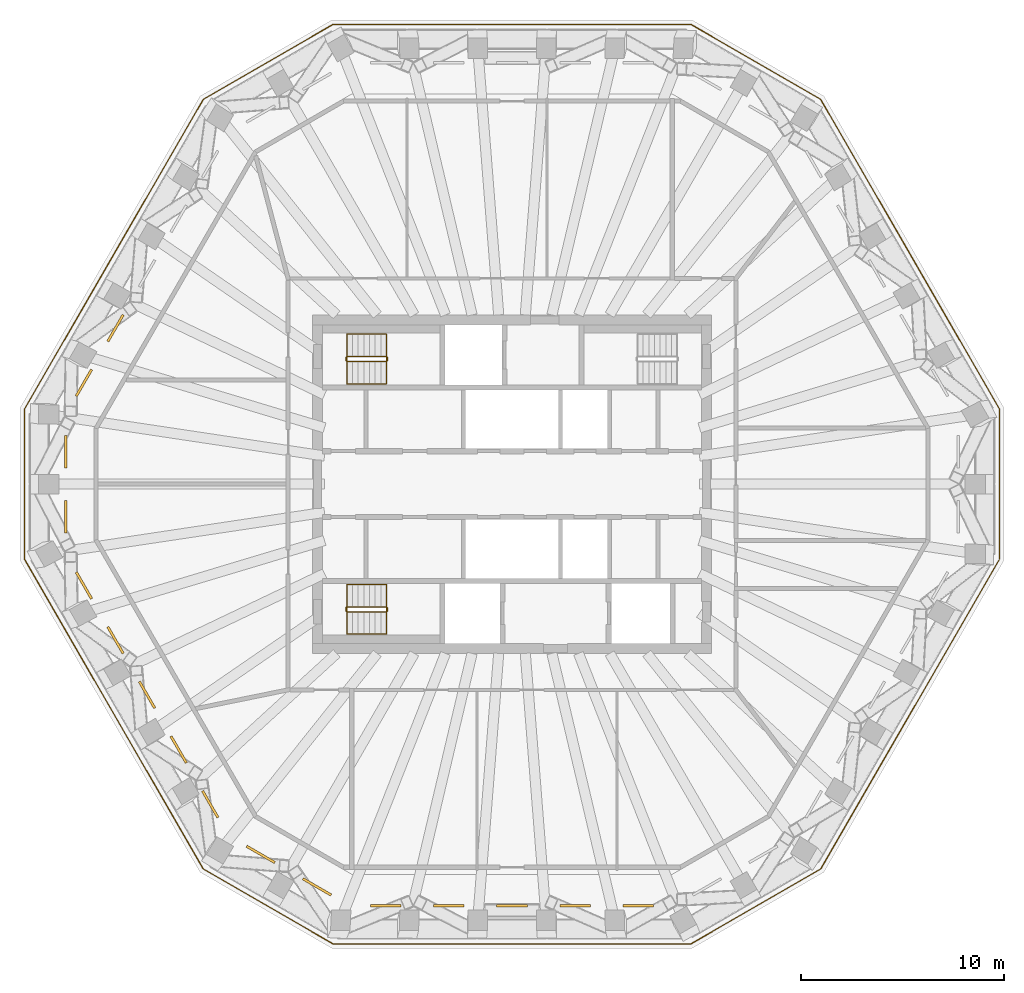
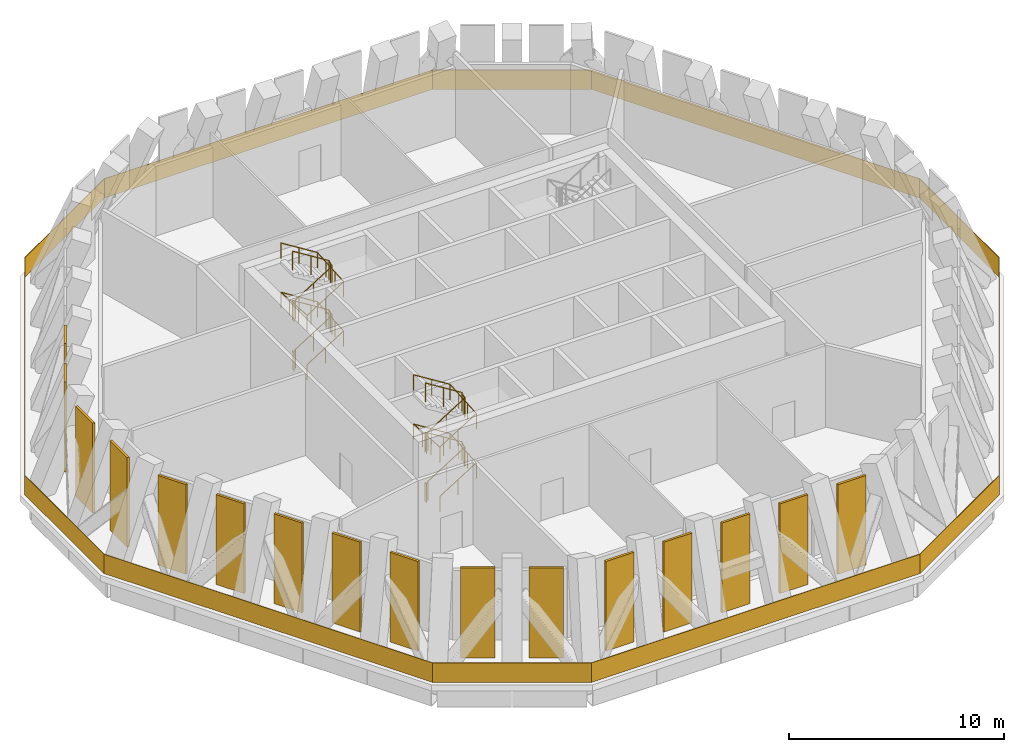
# One storey, part 8 of 9: 16 coverings, 5 railings.
"""IFC4 building model written with IfcOpenShell, lengths in metres."""

from ifc_helpers import new_model, si_unit, direction, frame, origin, origin_2d, place, context, subcontext, project, spatial, polyline, rectangle, circle, outline, extrude, material, layer, layer_set, type_object, element, save


model = new_model("IFC4")

# Units and contexts
model_context = context("Model", 3, precision=1e-05, world=origin(), true_north=direction((0.0, 1.0)))
body_context = subcontext(model_context, "Body", "Model", "MODEL_VIEW")
ifc_project = project(units=[si_unit("LENGTHUNIT", "METRE"), si_unit("AREAUNIT", "SQUARE_METRE"), si_unit("VOLUMEUNIT", "CUBIC_METRE"), si_unit("PLANEANGLEUNIT", "RADIAN"), si_unit("MASSUNIT", "GRAM", prefix="KILO")], contexts=[model_context])

# Site, building, storey
site_placement = place(None, origin())
site = spatial("IfcSite", under=ifc_project, at=site_placement, CompositionType="ELEMENT")
building_placement = place(site_placement, origin())
building = spatial("IfcBuilding", under=site, at=building_placement, Name="Frailejon Research Tower", CompositionType="ELEMENT")
storey_placement = place(building_placement, frame((0.0, 0.0, 303.0)))
storey = spatial("IfcBuildingStorey", under=building, at=storey_placement, Name="L67", CompositionType="ELEMENT", Elevation=303.0)

# Railing
ifc_material_1 = material(Name="Laminated glass balustrade", Category="glass")
railing_type_1 = type_object("IfcRailingType", Name="Glass guard 1100", PredefinedType="GUARDRAIL", material=ifc_material_1)
railing_1_placement = place(storey_placement, frame((24.0556640625, -3.697998046875, 0.0)))
element("IfcRailing", 1, at=railing_1_placement, inside=storey, type_object=railing_type_1, Name="Plant gallery guard L67", PredefinedType="GUARDRAIL", context=body_context, shape_type="SweptSolid", body=[
    extrude(rectangle(XDim=7.39599609375, YDim=0.030029296875, at=origin_2d()), frame((0.0, 3.697998046875, 0.0), z_axis=(0.0, 0.0, 1.0), x_axis=(0.0, 1.0, 0.0)), (0.0, 0.0, 1.0), 1.10009765625),
    extrude(rectangle(XDim=17.650634765625, YDim=0.030029296875, at=origin_2d()), frame((-4.41259765625, 15.0390625, 0.0), z_axis=(0.0, 0.0, 1.0), x_axis=(-0.499995044329, 0.866028264924, 0.0)), (0.0, 0.0, 1.0), 1.10009765625),
    extrude(rectangle(XDim=7.396240234375, YDim=0.030029296875, at=origin_2d()), frame((-12.02783203125, 24.53076171875, 0.0), z_axis=(0.0, 0.0, 1.0), x_axis=(-0.866030573133, 0.49999104632, 0.0)), (0.0, 0.0, 1.0), 1.10009765625),
    extrude(rectangle(XDim=17.650390625, YDim=0.030029296875, at=origin_2d()), frame((-24.0556640625, 26.3798828125, 0.0), z_axis=(0.0, 0.0, 1.0), x_axis=(-1.0, 0.0, 0.0)), (0.0, 0.0, 1.0), 1.10009765625),
    extrude(rectangle(XDim=7.396240234375, YDim=0.030029296875, at=origin_2d()), frame((-36.08349609375, 24.53076171875, 0.0), z_axis=(0.0, 0.0, 1.0), x_axis=(-0.866030573133, -0.49999104632, 0.0)), (0.0, 0.0, 1.0), 1.10009765625),
    extrude(rectangle(XDim=17.650634765625, YDim=0.030029296875, at=origin_2d()), frame((-43.69873046875, 15.0390625, 0.0), z_axis=(0.0, 0.0, 1.0), x_axis=(-0.499995044329, -0.866028264924, 0.0)), (0.0, 0.0, 1.0), 1.10009765625),
    extrude(rectangle(XDim=7.39599609375, YDim=0.030029296875, at=origin_2d()), frame((-48.111328125, 3.697998046875, 0.0), z_axis=(0.0, 0.0, 1.0), x_axis=(0.0, -1.0, 0.0)), (0.0, 0.0, 1.0), 1.10009765625),
    extrude(rectangle(XDim=17.650634765625, YDim=0.030029296875, at=origin_2d()), frame((-43.69873046875, -7.64306640625, 0.0), z_axis=(0.0, 0.0, 1.0), x_axis=(0.499995044329, -0.866028264924, 0.0)), (0.0, 0.0, 1.0), 1.10009765625),
    extrude(rectangle(XDim=7.396240234375, YDim=0.030029296875, at=origin_2d()), frame((-36.08349609375, -17.134765625, 0.0), z_axis=(0.0, 0.0, 1.0), x_axis=(0.866030573133, -0.49999104632, 0.0)), (0.0, 0.0, 1.0), 1.10009765625),
    extrude(rectangle(XDim=17.650390625, YDim=0.030029296875, at=origin_2d()), frame((-24.0556640625, -18.98388671875, 0.0), z_axis=(0.0, 0.0, 1.0), x_axis=(1.0, 0.0, 0.0)), (0.0, 0.0, 1.0), 1.10009765625),
    extrude(rectangle(XDim=7.396240234375, YDim=0.030029296875, at=origin_2d()), frame((-12.02783203125, -17.134765625, 0.0), z_axis=(0.0, 0.0, 1.0), x_axis=(0.866030573133, 0.49999104632, 0.0)), (0.0, 0.0, 1.0), 1.10009765625),
    extrude(rectangle(XDim=17.58056640625, YDim=0.030029296875, at=origin_2d()), frame((-4.43017578125, -7.67333984375, 0.0), z_axis=(0.0, 0.0, 1.0), x_axis=(0.500002942447, 0.866023704955, 0.0)), (0.0, 0.0, 1.0), 1.10009765625),
])

# Coverings
ifc_material_2 = material(Name="Anodised aluminium louvres", Category="aluminium")
ifc_layer = layer(ifc_material_2, 0.1201171875)
ifc_layer_set = layer_set([ifc_layer], Name="Plant louvre screen 120")
covering_type = type_object("IfcCoveringType", Name="Plant louvre screen 120", PredefinedType="CLADDING", material=ifc_layer_set)
for number, where, z_axis, x_axis, name in (
    (2, (-19.992919921875, 7.0712890625, 0.0), (0.500009610163, 0.866019855283, 0.0), (-0.866019855283, 0.500009610163, 0.0), "Plant louvre screen L67"),
    (3, (-21.55029296875, 4.373779296875, 0.0), (0.499999433811, 0.866025730673, 0.0), (-0.866025730673, 0.499999433811, 0.0), "Plant louvre screen L67"),
):
    element("IfcCovering", number, at=place(storey_placement, frame(where, z_axis=z_axis, x_axis=x_axis)), inside=storey, type_object=covering_type, Name=name, PredefinedType="CLADDING", context=body_context, shape_type="SweptSolid", body=[
        extrude(outline(polyline([(-0.1201171875, 0.0), (0.0, 0.0), (0.0, 5.10009765625), (-0.1201171875, 5.10009765625), (-0.1201171875, 0.0)])), origin(), (0.0, 0.0, 1.0), 1.514892578125),
    ])
for number, where, z_axis, x_axis, name in (
    (4, (-22.077392578125, 0.800048828125, 0.0), (0.0, 1.0, 0.0), (-1.0, 0.0, 0.0), "Plant louvre screen L67"),
    (5, (-22.077392578125, -2.406005859375, 0.0), (0.0, 1.0, 0.0), (-1.0, 0.0, 0.0), "Plant louvre screen L67"),
):
    element("IfcCovering", number, at=place(storey_placement, frame(where, z_axis=z_axis, x_axis=x_axis)), inside=storey, type_object=covering_type, Name=name, PredefinedType="CLADDING", context=body_context, shape_type="SweptSolid", body=[
        extrude(outline(polyline([(-0.1201171875, 0.0), (0.0, 0.0), (0.0, 5.10009765625), (-0.1201171875, 5.10009765625), (-0.1201171875, 0.0)])), origin(), (0.0, 0.0, 1.0), 1.606201171875),
    ])
for number, where, z_axis, x_axis, name in (
    (6, (-20.792724609375, -5.685791015625, 0.0), (-0.499999433811, 0.866025730673, 0.0), (-0.866025730673, -0.499999433811, 0.0), "Plant louvre screen L67"),
    (7, (-19.2353515625, -8.38330078125, 0.0), (-0.500009610163, 0.866019855283, 0.0), (-0.866019855283, -0.500009610163, 0.0), "Plant louvre screen L67"),
    (8, (-17.677978515625, -11.0810546875, 0.0), (-0.499985532315, 0.866033756545, 0.0), (-0.866033756545, -0.499985532315, 0.0), "Plant louvre screen L67"),
    (9, (-16.120361328125, -13.778564453125, 0.0), (-0.500009610163, 0.866019855283, 0.0), (-0.866019855283, -0.500009610163, 0.0), "Plant louvre screen L67"),
    (10, (-14.56298828125, -16.47607421875, 0.0), (-0.499999433811, 0.866025730673, 0.0), (-0.866025730673, -0.499999433811, 0.0), "Plant louvre screen L67"),
):
    element("IfcCovering", number, at=place(storey_placement, frame(where, z_axis=z_axis, x_axis=x_axis)), inside=storey, type_object=covering_type, Name=name, PredefinedType="CLADDING", context=body_context, shape_type="SweptSolid", body=[
        extrude(outline(polyline([(-0.1201171875, 0.0), (0.0, 0.0), (0.0, 5.10009765625), (-0.1201171875, 5.10009765625), (-0.1201171875, 0.0)])), origin(), (0.0, 0.0, 1.0), 1.514892578125),
    ])
for number, where, z_axis, x_axis, name in (
    (11, (-11.731689453125, -18.7197265625, 0.0), (-0.86601365609, 0.500020347052, 0.0), (-0.500020347052, -0.86601365609, 0.0), "Plant louvre screen L67"),
    (12, (-8.955078125, -20.32275390625, 0.0), (-0.866034959906, 0.499983447946, 0.0), (-0.499983447946, -0.866034959906, 0.0), "Plant louvre screen L67"),
):
    element("IfcCovering", number, at=place(storey_placement, frame(where, z_axis=z_axis, x_axis=x_axis)), inside=storey, type_object=covering_type, Name=name, PredefinedType="CLADDING", context=body_context, shape_type="SweptSolid", body=[
        extrude(outline(polyline([(-0.1201171875, 0.0), (0.0, 0.0), (0.0, 5.10009765625), (-0.1201171875, 5.10009765625), (-0.1201171875, 0.0)])), origin(), (0.0, 0.0, 1.0), 1.606201171875),
    ])
for number, where, z_axis, x_axis, name in (
    (13, (-5.472412109375, -20.85009765625, 0.0), (-1.0, 0.0, 0.0), (0.0, -1.0, 0.0), "Plant louvre screen L67"),
    (14, (-2.357421875, -20.85009765625, 0.0), (-1.0, 0.0, 0.0), (0.0, -1.0, 0.0), "Plant louvre screen L67"),
    (15, (0.75732421875, -20.85009765625, 0.0), (-1.0, 0.0, 0.0), (0.0, -1.0, 0.0), "Plant louvre screen L67"),
    (16, (3.872314453125, -20.85009765625, 0.0), (-1.0, 0.0, 0.0), (0.0, -1.0, 0.0), "Plant louvre screen L67"),
    (17, (6.9873046875, -20.85009765625, 0.0), (-1.0, 0.0, 0.0), (0.0, -1.0, 0.0), "Plant louvre screen L67"),
):
    element("IfcCovering", number, at=place(storey_placement, frame(where, z_axis=z_axis, x_axis=x_axis)), inside=storey, type_object=covering_type, Name=name, PredefinedType="CLADDING", context=body_context, shape_type="SweptSolid", body=[
        extrude(outline(polyline([(-0.1201171875, 0.0), (0.0, 0.0), (0.0, 5.10009765625), (-0.1201171875, 5.10009765625), (-0.1201171875, 0.0)])), origin(), (0.0, 0.0, 1.0), 1.514892578125),
    ])

# Railings
ifc_material_3 = material(Name="Stainless steel", Category="steel")
railing_type_2 = type_object("IfcRailingType", Name="Stair guard 1100", PredefinedType="GUARDRAIL", material=ifc_material_3)
railing_2_placement = place(storey_placement, frame((-8.199951171875, 6.25, 0.0)))
element("IfcRailing", 18, at=railing_2_placement, inside=storey, type_object=railing_type_2, Name="L67 ST1 stair guard 1", PredefinedType="GUARDRAIL", context=body_context, shape_type="SweptSolid", body=[
    extrude(circle(Radius=0.02392578125, at=origin_2d()), frame((0.0, 0.0, 1.076171875), z_axis=(0.0, -1.0, 0.0), x_axis=(1.0, 0.0, 0.0)), (0.0, 0.0, 1.0), 0.14990234375),
    extrude(circle(Radius=0.02392578125, at=origin_2d()), frame((0.0, -0.14990234375, 1.076171875), z_axis=(0.265065253269, -0.265065253269, 0.927081885822), x_axis=(0.707106781187, 0.707106781187, 0.0)), (0.0, 0.0, 1.0), 0.188720703125),
    extrude(circle(Radius=0.02392578125, at=origin_2d()), frame((0.050048828125, -0.199951171875, 1.2509765625), z_axis=(0.848022040916, 0.0, 0.529960959053), x_axis=(0.0, 1.0, 0.0)), (0.0, 0.0, 1.0), 2.311279296875),
    extrude(circle(Radius=0.02392578125, at=origin_2d()), frame((2.010009765625, -0.199951171875, 2.47607421875), z_axis=(0.707106781187, 0.707106781187, 0.0), x_axis=(-0.707106781187, 0.707106781187, 0.0)), (0.0, 0.0, 1.0), 0.07080078125),
    extrude(circle(Radius=0.02392578125, at=origin_2d()), frame((2.06005859375, -0.14990234375, 2.47607421875), z_axis=(0.0, 1.0, 0.0), x_axis=(-1.0, 0.0, 0.0)), (0.0, 0.0, 1.0), 0.14990234375),
    extrude(circle(Radius=0.02392578125, at=origin_2d()), frame((2.06005859375, 0.0, 2.47607421875), z_axis=(-0.265065253269, 0.265065253269, 0.927081885822), x_axis=(-0.707106781187, -0.707106781187, 0.0)), (0.0, 0.0, 1.0), 0.188720703125),
    extrude(circle(Radius=0.02392578125, at=origin_2d()), frame((2.010009765625, 0.050048828125, 2.65087890625), z_axis=(-0.847974566722, 0.0, 0.530036917764), x_axis=(0.0, -1.0, 0.0)), (0.0, 0.0, 1.0), 2.311279296875),
    extrude(circle(Radius=0.02392578125, at=origin_2d()), frame((0.050048828125, 0.050048828125, 3.8759765625), z_axis=(-0.707106781187, -0.707106781187, 0.0), x_axis=(0.707106781187, -0.707106781187, 0.0)), (0.0, 0.0, 1.0), 0.07080078125),
    extrude(circle(Radius=0.02392578125, at=origin_2d()), frame((0.0, 0.0, 3.8759765625), z_axis=(0.0, -1.0, 0.0), x_axis=(1.0, 0.0, 0.0)), (0.0, 0.0, 1.0), 0.14990234375),
    extrude(circle(Radius=0.02392578125, at=origin_2d()), frame((0.0, -0.14990234375, 3.8759765625), z_axis=(0.265065253269, -0.265065253269, 0.927081885822), x_axis=(0.707106781187, 0.707106781187, 0.0)), (0.0, 0.0, 1.0), 0.188720703125),
    extrude(circle(Radius=0.02392578125, at=origin_2d()), frame((0.050048828125, -0.199951171875, 4.05126953125), z_axis=(0.848022040916, 0.0, 0.529960959053), x_axis=(0.0, 1.0, 0.0)), (0.0, 0.0, 1.0), 2.311279296875),
    extrude(circle(Radius=0.02392578125, at=origin_2d()), frame((2.010009765625, -0.199951171875, 5.27587890625), z_axis=(0.707106781187, 0.707106781187, 0.0), x_axis=(-0.707106781187, 0.707106781187, 0.0)), (0.0, 0.0, 1.0), 0.07080078125),
    extrude(circle(Radius=0.02392578125, at=origin_2d()), frame((2.06005859375, -0.14990234375, 5.27587890625), z_axis=(0.0, 1.0, 0.0), x_axis=(-1.0, 0.0, 0.0)), (0.0, 0.0, 1.0), 0.14990234375),
    extrude(circle(Radius=0.02392578125, at=origin_2d()), frame((2.06005859375, 0.0, 5.27587890625), z_axis=(-0.265065253269, 0.265065253269, 0.927081885822), x_axis=(-0.707106781187, -0.707106781187, 0.0)), (0.0, 0.0, 1.0), 0.188720703125),
    extrude(circle(Radius=0.02392578125, at=origin_2d()), frame((2.010009765625, 0.050048828125, 5.451171875), z_axis=(-0.847974566722, 0.0, 0.530036917764), x_axis=(0.0, -1.0, 0.0)), (0.0, 0.0, 1.0), 2.311279296875),
    extrude(circle(Radius=0.02099609375, at=origin_2d()), origin(), (0.0, 0.0, 1.0), 1.052001953125),
    extrude(circle(Radius=0.02099609375, at=origin_2d()), frame((0.0, -0.14990234375, 0.0)), (0.0, 0.0, 1.0), 1.052001953125),
    extrude(circle(Radius=0.02099609375, at=origin_2d()), frame((0.050048828125, -0.199951171875, 0.175048828125)), (0.0, 0.0, 1.0), 1.052001953125),
    extrude(circle(Radius=0.02099609375, at=origin_2d()), frame((1.030029296875, -0.199951171875, 0.78759765625)), (0.0, 0.0, 1.0), 1.052001953125),
    extrude(circle(Radius=0.02099609375, at=origin_2d()), frame((2.010009765625, -0.199951171875, 1.39990234375)), (0.0, 0.0, 1.0), 1.052001953125),
    extrude(circle(Radius=0.02099609375, at=origin_2d()), frame((2.06005859375, -0.14990234375, 1.39990234375)), (0.0, 0.0, 1.0), 1.052001953125),
    extrude(circle(Radius=0.02099609375, at=origin_2d()), frame((2.06005859375, 0.0, 1.39990234375)), (0.0, 0.0, 1.0), 1.052001953125),
    extrude(circle(Radius=0.02099609375, at=origin_2d()), frame((2.010009765625, 0.050048828125, 1.574951171875)), (0.0, 0.0, 1.0), 1.052001953125),
    extrude(circle(Radius=0.02099609375, at=origin_2d()), frame((1.030029296875, 0.050048828125, 2.1875)), (0.0, 0.0, 1.0), 1.052001953125),
    extrude(circle(Radius=0.02099609375, at=origin_2d()), frame((0.050048828125, 0.050048828125, 2.800048828125)), (0.0, 0.0, 1.0), 1.052001953125),
    extrude(circle(Radius=0.02099609375, at=origin_2d()), frame((0.0, 0.0, 2.800048828125)), (0.0, 0.0, 1.0), 1.052001953125),
    extrude(circle(Radius=0.02099609375, at=origin_2d()), frame((0.0, -0.14990234375, 2.800048828125)), (0.0, 0.0, 1.0), 1.052001953125),
    extrude(circle(Radius=0.02099609375, at=origin_2d()), frame((0.050048828125, -0.199951171875, 2.97509765625)), (0.0, 0.0, 1.0), 1.052001953125),
    extrude(circle(Radius=0.02099609375, at=origin_2d()), frame((1.030029296875, -0.199951171875, 3.58740234375)), (0.0, 0.0, 1.0), 1.052001953125),
    extrude(circle(Radius=0.02099609375, at=origin_2d()), frame((2.010009765625, -0.199951171875, 4.199951171875)), (0.0, 0.0, 1.0), 1.052001953125),
    extrude(circle(Radius=0.02099609375, at=origin_2d()), frame((2.06005859375, -0.14990234375, 4.199951171875)), (0.0, 0.0, 1.0), 1.052001953125),
    extrude(circle(Radius=0.02099609375, at=origin_2d()), frame((2.06005859375, 0.0, 4.199951171875)), (0.0, 0.0, 1.0), 1.052001953125),
    extrude(circle(Radius=0.02099609375, at=origin_2d()), frame((2.010009765625, 0.050048828125, 4.375)), (0.0, 0.0, 1.0), 1.052001953125),
    extrude(circle(Radius=0.02099609375, at=origin_2d()), frame((1.030029296875, 0.050048828125, 4.987548828125)), (0.0, 0.0, 1.0), 1.052001953125),
    extrude(circle(Radius=0.02099609375, at=origin_2d()), frame((0.050048828125, 0.050048828125, 5.60009765625)), (0.0, 0.0, 1.0), 1.052001953125),
])
railing_3_placement = place(storey_placement, frame((-8.199951171875, -6.10009765625, 0.0)))
element("IfcRailing", 19, at=railing_3_placement, inside=storey, type_object=railing_type_2, Name="L67 ST2 stair guard 1", PredefinedType="GUARDRAIL", context=body_context, shape_type="SweptSolid", body=[
    extrude(circle(Radius=0.02392578125, at=origin_2d()), frame((0.0, 0.0, 1.076171875), z_axis=(0.0, -1.0, 0.0), x_axis=(1.0, 0.0, 0.0)), (0.0, 0.0, 1.0), 0.14990234375),
    extrude(circle(Radius=0.02392578125, at=origin_2d()), frame((0.0, -0.14990234375, 1.076171875), z_axis=(0.265065253269, -0.265065253269, 0.927081885822), x_axis=(0.707106781187, 0.707106781187, 0.0)), (0.0, 0.0, 1.0), 0.188720703125),
    extrude(circle(Radius=0.02392578125, at=origin_2d()), frame((0.050048828125, -0.199951171875, 1.2509765625), z_axis=(0.848022040916, 0.0, 0.529960959053), x_axis=(0.0, 1.0, 0.0)), (0.0, 0.0, 1.0), 2.311279296875),
    extrude(circle(Radius=0.02392578125, at=origin_2d()), frame((2.010009765625, -0.199951171875, 2.47607421875), z_axis=(0.707106781187, 0.707106781187, 0.0), x_axis=(-0.707106781187, 0.707106781187, 0.0)), (0.0, 0.0, 1.0), 0.07080078125),
    extrude(circle(Radius=0.02392578125, at=origin_2d()), frame((2.06005859375, -0.14990234375, 2.47607421875), z_axis=(0.0, 1.0, 0.0), x_axis=(-1.0, 0.0, 0.0)), (0.0, 0.0, 1.0), 0.14990234375),
    extrude(circle(Radius=0.02392578125, at=origin_2d()), frame((2.06005859375, 0.0, 2.47607421875), z_axis=(-0.265065253269, 0.265065253269, 0.927081885822), x_axis=(-0.707106781187, -0.707106781187, 0.0)), (0.0, 0.0, 1.0), 0.188720703125),
    extrude(circle(Radius=0.02392578125, at=origin_2d()), frame((2.010009765625, 0.050048828125, 2.65087890625), z_axis=(-0.847974566722, 0.0, 0.530036917764), x_axis=(0.0, -1.0, 0.0)), (0.0, 0.0, 1.0), 2.311279296875),
    extrude(circle(Radius=0.02392578125, at=origin_2d()), frame((0.050048828125, 0.050048828125, 3.8759765625), z_axis=(-0.707106781187, -0.707106781187, 0.0), x_axis=(0.707106781187, -0.707106781187, 0.0)), (0.0, 0.0, 1.0), 0.07080078125),
    extrude(circle(Radius=0.02392578125, at=origin_2d()), frame((0.0, 0.0, 3.8759765625), z_axis=(0.0, -1.0, 0.0), x_axis=(1.0, 0.0, 0.0)), (0.0, 0.0, 1.0), 0.14990234375),
    extrude(circle(Radius=0.02392578125, at=origin_2d()), frame((0.0, -0.14990234375, 3.8759765625), z_axis=(0.265065253269, -0.265065253269, 0.927081885822), x_axis=(0.707106781187, 0.707106781187, 0.0)), (0.0, 0.0, 1.0), 0.188720703125),
    extrude(circle(Radius=0.02392578125, at=origin_2d()), frame((0.050048828125, -0.199951171875, 4.05126953125), z_axis=(0.848022040916, 0.0, 0.529960959053), x_axis=(0.0, 1.0, 0.0)), (0.0, 0.0, 1.0), 2.311279296875),
    extrude(circle(Radius=0.02392578125, at=origin_2d()), frame((2.010009765625, -0.199951171875, 5.27587890625), z_axis=(0.707106781187, 0.707106781187, 0.0), x_axis=(-0.707106781187, 0.707106781187, 0.0)), (0.0, 0.0, 1.0), 0.07080078125),
    extrude(circle(Radius=0.02392578125, at=origin_2d()), frame((2.06005859375, -0.14990234375, 5.27587890625), z_axis=(0.0, 1.0, 0.0), x_axis=(-1.0, 0.0, 0.0)), (0.0, 0.0, 1.0), 0.14990234375),
    extrude(circle(Radius=0.02392578125, at=origin_2d()), frame((2.06005859375, 0.0, 5.27587890625), z_axis=(-0.265065253269, 0.265065253269, 0.927081885822), x_axis=(-0.707106781187, -0.707106781187, 0.0)), (0.0, 0.0, 1.0), 0.188720703125),
    extrude(circle(Radius=0.02392578125, at=origin_2d()), frame((2.010009765625, 0.050048828125, 5.451171875), z_axis=(-0.847974566722, 0.0, 0.530036917764), x_axis=(0.0, -1.0, 0.0)), (0.0, 0.0, 1.0), 2.311279296875),
    extrude(circle(Radius=0.02099609375, at=origin_2d()), origin(), (0.0, 0.0, 1.0), 1.052001953125),
    extrude(circle(Radius=0.02099609375, at=origin_2d()), frame((0.0, -0.14990234375, 0.0)), (0.0, 0.0, 1.0), 1.052001953125),
    extrude(circle(Radius=0.02099609375, at=origin_2d()), frame((0.050048828125, -0.199951171875, 0.175048828125)), (0.0, 0.0, 1.0), 1.052001953125),
    extrude(circle(Radius=0.02099609375, at=origin_2d()), frame((1.030029296875, -0.199951171875, 0.78759765625)), (0.0, 0.0, 1.0), 1.052001953125),
    extrude(circle(Radius=0.02099609375, at=origin_2d()), frame((2.010009765625, -0.199951171875, 1.39990234375)), (0.0, 0.0, 1.0), 1.052001953125),
    extrude(circle(Radius=0.02099609375, at=origin_2d()), frame((2.06005859375, -0.14990234375, 1.39990234375)), (0.0, 0.0, 1.0), 1.052001953125),
    extrude(circle(Radius=0.02099609375, at=origin_2d()), frame((2.06005859375, 0.0, 1.39990234375)), (0.0, 0.0, 1.0), 1.052001953125),
    extrude(circle(Radius=0.02099609375, at=origin_2d()), frame((2.010009765625, 0.050048828125, 1.574951171875)), (0.0, 0.0, 1.0), 1.052001953125),
    extrude(circle(Radius=0.02099609375, at=origin_2d()), frame((1.030029296875, 0.050048828125, 2.1875)), (0.0, 0.0, 1.0), 1.052001953125),
    extrude(circle(Radius=0.02099609375, at=origin_2d()), frame((0.050048828125, 0.050048828125, 2.800048828125)), (0.0, 0.0, 1.0), 1.052001953125),
    extrude(circle(Radius=0.02099609375, at=origin_2d()), frame((0.0, 0.0, 2.800048828125)), (0.0, 0.0, 1.0), 1.052001953125),
    extrude(circle(Radius=0.02099609375, at=origin_2d()), frame((0.0, -0.14990234375, 2.800048828125)), (0.0, 0.0, 1.0), 1.052001953125),
    extrude(circle(Radius=0.02099609375, at=origin_2d()), frame((0.050048828125, -0.199951171875, 2.97509765625)), (0.0, 0.0, 1.0), 1.052001953125),
    extrude(circle(Radius=0.02099609375, at=origin_2d()), frame((1.030029296875, -0.199951171875, 3.58740234375)), (0.0, 0.0, 1.0), 1.052001953125),
    extrude(circle(Radius=0.02099609375, at=origin_2d()), frame((2.010009765625, -0.199951171875, 4.199951171875)), (0.0, 0.0, 1.0), 1.052001953125),
    extrude(circle(Radius=0.02099609375, at=origin_2d()), frame((2.06005859375, -0.14990234375, 4.199951171875)), (0.0, 0.0, 1.0), 1.052001953125),
    extrude(circle(Radius=0.02099609375, at=origin_2d()), frame((2.06005859375, 0.0, 4.199951171875)), (0.0, 0.0, 1.0), 1.052001953125),
    extrude(circle(Radius=0.02099609375, at=origin_2d()), frame((2.010009765625, 0.050048828125, 4.375)), (0.0, 0.0, 1.0), 1.052001953125),
    extrude(circle(Radius=0.02099609375, at=origin_2d()), frame((1.030029296875, 0.050048828125, 4.987548828125)), (0.0, 0.0, 1.0), 1.052001953125),
    extrude(circle(Radius=0.02099609375, at=origin_2d()), frame((0.050048828125, 0.050048828125, 5.60009765625)), (0.0, 0.0, 1.0), 1.052001953125),
])
ifc_material_4 = material(Name="Stainless steel", Category="steel")
railing_type_3 = type_object("IfcRailingType", Name="Stair handrail 900", PredefinedType="HANDRAIL", material=ifc_material_4)
railing_4_placement = place(storey_placement, frame((-8.14990234375, 4.949951171875, 0.175048828125)))
element("IfcRailing", 20, at=railing_4_placement, inside=storey, type_object=railing_type_3, Name="L67 ST1 stair handrail 1", PredefinedType="HANDRAIL", context=body_context, shape_type="SweptSolid", body=[
    extrude(circle(Radius=0.02392578125, at=origin_2d()), frame((0.0, 0.0, 0.8759765625), z_axis=(0.848022040916, 0.0, 0.529960959053), x_axis=(0.0, 1.0, 0.0)), (0.0, 0.0, 1.0), 2.311279296875),
    extrude(circle(Radius=0.02392578125, at=origin_2d()), frame((1.9599609375, 0.0, 2.1005859375), z_axis=(0.0, 0.997457185933, 0.071268241387), x_axis=(-1.0, 0.0, 0.0)), (0.0, 0.0, 1.0), 2.456298828125),
    extrude(circle(Radius=0.02392578125, at=origin_2d()), frame((1.9599609375, 2.449951171875, 2.27587890625), z_axis=(-0.847974566722, 0.0, 0.530036917764), x_axis=(0.0, -1.0, 0.0)), (0.0, 0.0, 1.0), 2.311279296875),
    extrude(circle(Radius=0.02392578125, at=origin_2d()), frame((0.0, 2.449951171875, 3.5009765625), z_axis=(0.0, -0.997457185933, 0.071268241387), x_axis=(1.0, 0.0, 0.0)), (0.0, 0.0, 1.0), 2.456298828125),
    extrude(circle(Radius=0.02392578125, at=origin_2d()), frame((0.0, 0.0, 3.67578125), z_axis=(0.848022040916, 0.0, 0.529960959053), x_axis=(0.0, 1.0, 0.0)), (0.0, 0.0, 1.0), 2.311279296875),
    extrude(circle(Radius=0.02392578125, at=origin_2d()), frame((1.9599609375, 0.0, 4.90087890625), z_axis=(0.0, 0.997457185933, 0.071268241387), x_axis=(-1.0, 0.0, 0.0)), (0.0, 0.0, 1.0), 2.456298828125),
    extrude(circle(Radius=0.02392578125, at=origin_2d()), frame((1.9599609375, 2.449951171875, 5.07568359375), z_axis=(-0.847974566722, 0.0, 0.530036917764), x_axis=(0.0, -1.0, 0.0)), (0.0, 0.0, 1.0), 2.311279296875),
    extrude(circle(Radius=0.02099609375, at=origin_2d()), origin(), (0.0, 0.0, 1.0), 0.851806640625),
    extrude(circle(Radius=0.02099609375, at=origin_2d()), frame((0.97998046875, 0.0, 0.6123046875)), (0.0, 0.0, 1.0), 0.851806640625),
    extrude(circle(Radius=0.02099609375, at=origin_2d()), frame((1.9599609375, 0.0, 1.224853515625)), (0.0, 0.0, 1.0), 0.851806640625),
    extrude(circle(Radius=0.02099609375, at=origin_2d()), frame((1.9599609375, 0.816650390625, 1.283203125)), (0.0, 0.0, 1.0), 0.851806640625),
    extrude(circle(Radius=0.02099609375, at=origin_2d()), frame((1.9599609375, 1.63330078125, 1.341552734375)), (0.0, 0.0, 1.0), 0.851806640625),
    extrude(circle(Radius=0.02099609375, at=origin_2d()), frame((1.9599609375, 2.449951171875, 1.39990234375)), (0.0, 0.0, 1.0), 0.851806640625),
    extrude(circle(Radius=0.02099609375, at=origin_2d()), frame((0.97998046875, 2.449951171875, 2.012451171875)), (0.0, 0.0, 1.0), 0.851806640625),
    extrude(circle(Radius=0.02099609375, at=origin_2d()), frame((0.0, 2.449951171875, 2.625)), (0.0, 0.0, 1.0), 0.851806640625),
    extrude(circle(Radius=0.02099609375, at=origin_2d()), frame((0.0, 1.63330078125, 2.683349609375)), (0.0, 0.0, 1.0), 0.851806640625),
    extrude(circle(Radius=0.02099609375, at=origin_2d()), frame((0.0, 0.816650390625, 2.74169921875)), (0.0, 0.0, 1.0), 0.851806640625),
    extrude(circle(Radius=0.02099609375, at=origin_2d()), frame((0.0, 0.0, 2.800048828125)), (0.0, 0.0, 1.0), 0.851806640625),
    extrude(circle(Radius=0.02099609375, at=origin_2d()), frame((0.97998046875, 0.0, 3.41259765625)), (0.0, 0.0, 1.0), 0.851806640625),
    extrude(circle(Radius=0.02099609375, at=origin_2d()), frame((1.9599609375, 0.0, 4.02490234375)), (0.0, 0.0, 1.0), 0.851806640625),
    extrude(circle(Radius=0.02099609375, at=origin_2d()), frame((1.9599609375, 0.816650390625, 4.083251953125)), (0.0, 0.0, 1.0), 0.851806640625),
    extrude(circle(Radius=0.02099609375, at=origin_2d()), frame((1.9599609375, 1.63330078125, 4.1416015625)), (0.0, 0.0, 1.0), 0.851806640625),
    extrude(circle(Radius=0.02099609375, at=origin_2d()), frame((1.9599609375, 2.449951171875, 4.199951171875)), (0.0, 0.0, 1.0), 0.851806640625),
    extrude(circle(Radius=0.02099609375, at=origin_2d()), frame((0.97998046875, 2.449951171875, 4.8125)), (0.0, 0.0, 1.0), 0.851806640625),
    extrude(circle(Radius=0.02099609375, at=origin_2d()), frame((0.0, 2.449951171875, 5.425048828125)), (0.0, 0.0, 1.0), 0.851806640625),
])
railing_5_placement = place(storey_placement, frame((-8.14990234375, -7.39990234375, 0.175048828125)))
element("IfcRailing", 21, at=railing_5_placement, inside=storey, type_object=railing_type_3, Name="L67 ST2 stair handrail 1", PredefinedType="HANDRAIL", context=body_context, shape_type="SweptSolid", body=[
    extrude(circle(Radius=0.02392578125, at=origin_2d()), frame((0.0, 0.0, 0.8759765625), z_axis=(0.848022040916, 0.0, 0.529960959053), x_axis=(0.0, 1.0, 0.0)), (0.0, 0.0, 1.0), 2.311279296875),
    extrude(circle(Radius=0.02392578125, at=origin_2d()), frame((1.9599609375, 0.0, 2.1005859375), z_axis=(0.0, 0.997457185933, 0.071268241387), x_axis=(-1.0, 0.0, 0.0)), (0.0, 0.0, 1.0), 2.456298828125),
    extrude(circle(Radius=0.02392578125, at=origin_2d()), frame((1.9599609375, 2.449951171875, 2.27587890625), z_axis=(-0.847974566722, 0.0, 0.530036917764), x_axis=(0.0, -1.0, 0.0)), (0.0, 0.0, 1.0), 2.311279296875),
    extrude(circle(Radius=0.02392578125, at=origin_2d()), frame((0.0, 2.449951171875, 3.5009765625), z_axis=(0.0, -0.997457185933, 0.071268241387), x_axis=(1.0, 0.0, 0.0)), (0.0, 0.0, 1.0), 2.456298828125),
    extrude(circle(Radius=0.02392578125, at=origin_2d()), frame((0.0, 0.0, 3.67578125), z_axis=(0.848022040916, 0.0, 0.529960959053), x_axis=(0.0, 1.0, 0.0)), (0.0, 0.0, 1.0), 2.311279296875),
    extrude(circle(Radius=0.02392578125, at=origin_2d()), frame((1.9599609375, 0.0, 4.90087890625), z_axis=(0.0, 0.997457185933, 0.071268241387), x_axis=(-1.0, 0.0, 0.0)), (0.0, 0.0, 1.0), 2.456298828125),
    extrude(circle(Radius=0.02392578125, at=origin_2d()), frame((1.9599609375, 2.449951171875, 5.07568359375), z_axis=(-0.847974566722, 0.0, 0.530036917764), x_axis=(0.0, -1.0, 0.0)), (0.0, 0.0, 1.0), 2.311279296875),
    extrude(circle(Radius=0.02099609375, at=origin_2d()), origin(), (0.0, 0.0, 1.0), 0.851806640625),
    extrude(circle(Radius=0.02099609375, at=origin_2d()), frame((0.97998046875, 0.0, 0.6123046875)), (0.0, 0.0, 1.0), 0.851806640625),
    extrude(circle(Radius=0.02099609375, at=origin_2d()), frame((1.9599609375, 0.0, 1.224853515625)), (0.0, 0.0, 1.0), 0.851806640625),
    extrude(circle(Radius=0.02099609375, at=origin_2d()), frame((1.9599609375, 0.816650390625, 1.283203125)), (0.0, 0.0, 1.0), 0.851806640625),
    extrude(circle(Radius=0.02099609375, at=origin_2d()), frame((1.9599609375, 1.63330078125, 1.341552734375)), (0.0, 0.0, 1.0), 0.851806640625),
    extrude(circle(Radius=0.02099609375, at=origin_2d()), frame((1.9599609375, 2.449951171875, 1.39990234375)), (0.0, 0.0, 1.0), 0.851806640625),
    extrude(circle(Radius=0.02099609375, at=origin_2d()), frame((0.97998046875, 2.449951171875, 2.012451171875)), (0.0, 0.0, 1.0), 0.851806640625),
    extrude(circle(Radius=0.02099609375, at=origin_2d()), frame((0.0, 2.449951171875, 2.625)), (0.0, 0.0, 1.0), 0.851806640625),
    extrude(circle(Radius=0.02099609375, at=origin_2d()), frame((0.0, 1.63330078125, 2.683349609375)), (0.0, 0.0, 1.0), 0.851806640625),
    extrude(circle(Radius=0.02099609375, at=origin_2d()), frame((0.0, 0.816650390625, 2.74169921875)), (0.0, 0.0, 1.0), 0.851806640625),
    extrude(circle(Radius=0.02099609375, at=origin_2d()), frame((0.0, 0.0, 2.800048828125)), (0.0, 0.0, 1.0), 0.851806640625),
    extrude(circle(Radius=0.02099609375, at=origin_2d()), frame((0.97998046875, 0.0, 3.41259765625)), (0.0, 0.0, 1.0), 0.851806640625),
    extrude(circle(Radius=0.02099609375, at=origin_2d()), frame((1.9599609375, 0.0, 4.02490234375)), (0.0, 0.0, 1.0), 0.851806640625),
    extrude(circle(Radius=0.02099609375, at=origin_2d()), frame((1.9599609375, 0.816650390625, 4.083251953125)), (0.0, 0.0, 1.0), 0.851806640625),
    extrude(circle(Radius=0.02099609375, at=origin_2d()), frame((1.9599609375, 1.63330078125, 4.1416015625)), (0.0, 0.0, 1.0), 0.851806640625),
    extrude(circle(Radius=0.02099609375, at=origin_2d()), frame((1.9599609375, 2.449951171875, 4.199951171875)), (0.0, 0.0, 1.0), 0.851806640625),
    extrude(circle(Radius=0.02099609375, at=origin_2d()), frame((0.97998046875, 2.449951171875, 4.8125)), (0.0, 0.0, 1.0), 0.851806640625),
    extrude(circle(Radius=0.02099609375, at=origin_2d()), frame((0.0, 2.449951171875, 5.425048828125)), (0.0, 0.0, 1.0), 0.851806640625),
])

save(model, "model.ifc")
